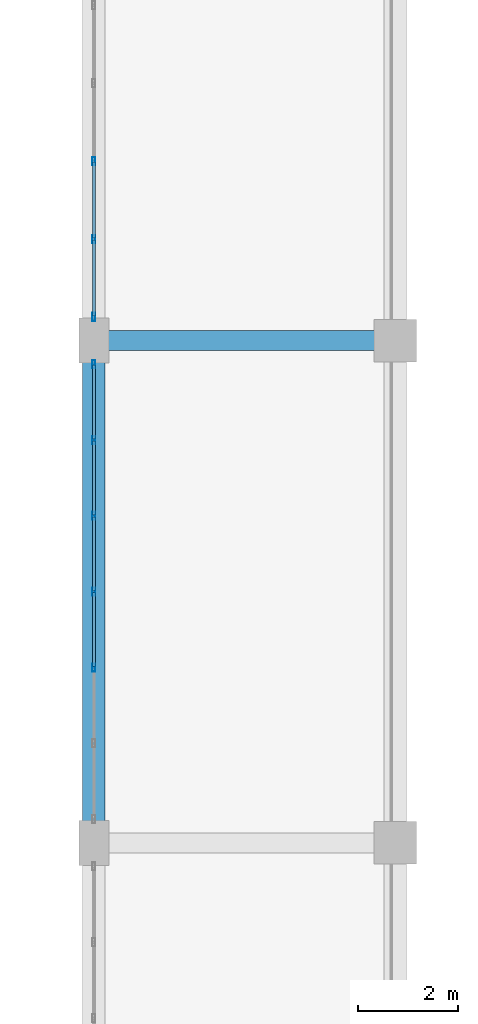
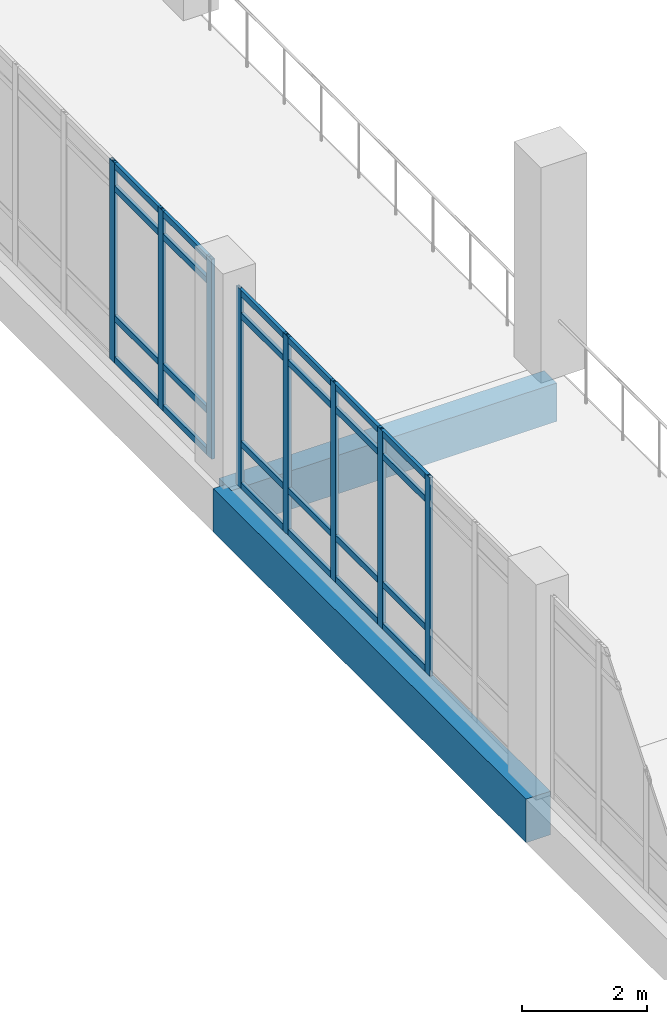
# One storey, part 82 of 161: 32 members, 2 beams, 2 elements without a shape of their own.
"""IFC4 building model written with IfcOpenShell, lengths in metres."""

from ifc_helpers import new_model, si_unit, direction, frame, origin, origin_2d, place, context, subcontext, project, spatial, rectangle, hollow_rectangle, extrude, material, layer, layer_set, material_profile, profile_set, type_object, element, aggregate, save


model = new_model("IFC4")

# Units and contexts
model_context = context("Model", 3, precision=1e-05, world=origin(), true_north=direction((0.0, 1.0)))
body_context = subcontext(model_context, "Body", "Model", "MODEL_VIEW")
ifc_project = project(units=[si_unit("LENGTHUNIT", "METRE"), si_unit("AREAUNIT", "SQUARE_METRE"), si_unit("VOLUMEUNIT", "CUBIC_METRE"), si_unit("PLANEANGLEUNIT", "RADIAN"), si_unit("MASSUNIT", "GRAM", prefix="KILO")], contexts=[model_context])

# Site, building, storey
site_placement = place(None, origin())
site = spatial("IfcSite", under=ifc_project, at=site_placement, CompositionType="ELEMENT")
building_placement = place(site_placement, origin())
building = spatial("IfcBuilding", under=site, at=building_placement, Name="Mersad Railyard Sports Hall", CompositionType="ELEMENT")
storey_placement = place(building_placement, frame((0.0, 0.0, 4.800048828125)))
storey = spatial("IfcBuildingStorey", under=building, at=storey_placement, Name="L01", CompositionType="ELEMENT", Elevation=4.800048828125)

# Curtain wall, members
ifc_material_1 = material(Name="Aluminium 6063-T6", Category="aluminium")
ifc_layer_1 = layer(ifc_material_1, 0.159912109375)
ifc_layer_set_1 = layer_set([ifc_layer_1], Name="Aluminium 6063-T6")
curtain_wall_type_1 = type_object("IfcCurtainWallType", Name="ARC-CW-CW14", PredefinedType="USERDEFINED", material=ifc_layer_set_1)
curtain_wall_1_placement = place(storey_placement, origin())
curtain_wall_1 = element("IfcCurtainWall", 1, at=curtain_wall_1_placement, inside=storey, type_object=curtain_wall_type_1, Name="Curtain wall CW14-0076", ObjectType="CURTAIN WALL", PredefinedType="USERDEFINED")
ifc_material_profile_1 = material_profile(ifc_material_1, hollow_rectangle(XDim=0.06005859375, YDim=0.159912109375, WallThickness=0.00390625, at=origin_2d()), Name="AL MULLION 60x160x4")
ifc_profile_set_1 = profile_set([ifc_material_profile_1], Name="Aluminium 6063-T6")
member_type_1 = type_object("IfcMemberType", Name="ARC-CW-MUL01", PredefinedType="MULLION", material=ifc_profile_set_1)
member_1_placement = place(storey_placement, frame((131.0, 66.989990234375, -0.02001953125), z_axis=(0.0, 0.0, 1.0), x_axis=(1.0, 0.0, 0.0)))
member_1 = element("IfcMember", 2, at=member_1_placement, type_object=member_type_1, Name="CW14 Mullion 3", PredefinedType="MULLION", context=body_context, shape_type="SweptSolid", body=[
    extrude(hollow_rectangle(XDim=0.06005859375, YDim=0.159912109375, WallThickness=0.00390625, at=origin_2d()), origin(), (0.0, 0.0, 1.0), 3.869873046875),
])
member_2_placement = place(storey_placement, frame((131.0, 68.5, -0.02001953125), z_axis=(0.0, 0.0, 1.0), x_axis=(1.0, 0.0, 0.0)))
member_2 = element("IfcMember", 3, at=member_2_placement, type_object=member_type_1, Name="CW14 Mullion 4", PredefinedType="MULLION", context=body_context, shape_type="SweptSolid", body=[
    extrude(hollow_rectangle(XDim=0.06005859375, YDim=0.159912109375, WallThickness=0.00390625, at=origin_2d()), origin(), (0.0, 0.0, 1.0), 3.869873046875),
])
member_3_placement = place(storey_placement, frame((131.0, 70.010009765625, -0.02001953125), z_axis=(0.0, 0.0, 1.0), x_axis=(1.0, 0.0, 0.0)))
member_3 = element("IfcMember", 4, at=member_3_placement, type_object=member_type_1, Name="CW14 Mullion 5", PredefinedType="MULLION", context=body_context, shape_type="SweptSolid", body=[
    extrude(hollow_rectangle(XDim=0.06005859375, YDim=0.159912109375, WallThickness=0.00390625, at=origin_2d()), origin(), (0.0, 0.0, 1.0), 3.869873046875),
])
member_4_placement = place(storey_placement, frame((131.0, 71.52001953125, -0.02001953125), z_axis=(0.0, 0.0, 1.0), x_axis=(1.0, 0.0, 0.0)))
member_4 = element("IfcMember", 5, at=member_4_placement, type_object=member_type_1, Name="CW14 Mullion 6", PredefinedType="MULLION", context=body_context, shape_type="SweptSolid", body=[
    extrude(hollow_rectangle(XDim=0.06005859375, YDim=0.159912109375, WallThickness=0.00390625, at=origin_2d()), origin(), (0.0, 0.0, 1.0), 3.869873046875),
])
member_5_placement = place(storey_placement, frame((131.0, 73.030029296875, -0.02001953125), z_axis=(0.0, 0.0, 1.0), x_axis=(1.0, 0.0, 0.0)))
member_5 = element("IfcMember", 6, at=member_5_placement, type_object=member_type_1, Name="CW14 Mullion 7", PredefinedType="MULLION", context=body_context, shape_type="SweptSolid", body=[
    extrude(hollow_rectangle(XDim=0.06005859375, YDim=0.159912109375, WallThickness=0.00390625, at=origin_2d()), origin(), (0.0, 0.0, 1.0), 3.869873046875),
])

ifc_layer_2 = layer(ifc_material_1, 0.159912109375)
ifc_layer_set_2 = layer_set([ifc_layer_2], Name="Aluminium 6063-T6")
curtain_wall_type_2 = type_object("IfcCurtainWallType", Name="ARC-CW-CW27", PredefinedType="USERDEFINED", material=ifc_layer_set_2)
curtain_wall_2_placement = place(storey_placement, origin())
curtain_wall_2 = element("IfcCurtainWall", 7, at=curtain_wall_2_placement, inside=storey, type_object=curtain_wall_type_2, Name="Curtain wall CW27-0078", ObjectType="CURTAIN WALL", PredefinedType="USERDEFINED")
member_6_placement = place(storey_placement, frame((131.0, 73.969970703125, -0.02001953125), z_axis=(0.0, 0.0, 1.0), x_axis=(1.0, 0.0, 0.0)))
member_6 = element("IfcMember", 8, at=member_6_placement, type_object=member_type_1, Name="CW27 Mullion 1", PredefinedType="MULLION", context=body_context, shape_type="SweptSolid", body=[
    extrude(hollow_rectangle(XDim=0.06005859375, YDim=0.159912109375, WallThickness=0.00390625, at=origin_2d()), origin(), (0.0, 0.0, 1.0), 3.89990234375),
])
member_7_placement = place(storey_placement, frame((131.0, 75.521484375, -0.02001953125), z_axis=(0.0, 0.0, 1.0), x_axis=(1.0, 0.0, 0.0)))
member_7 = element("IfcMember", 9, at=member_7_placement, type_object=member_type_1, Name="CW27 Mullion 2", PredefinedType="MULLION", context=body_context, shape_type="SweptSolid", body=[
    extrude(hollow_rectangle(XDim=0.06005859375, YDim=0.159912109375, WallThickness=0.00390625, at=origin_2d()), origin(), (0.0, 0.0, 1.0), 3.89990234375),
])
member_8_placement = place(storey_placement, frame((131.0, 77.07275390625, -0.02001953125), z_axis=(0.0, 0.0, 1.0), x_axis=(1.0, 0.0, 0.0)))
member_8 = element("IfcMember", 10, at=member_8_placement, type_object=member_type_1, Name="CW27 Mullion 3", PredefinedType="MULLION", context=body_context, shape_type="SweptSolid", body=[
    extrude(hollow_rectangle(XDim=0.06005859375, YDim=0.159912109375, WallThickness=0.00390625, at=origin_2d()), origin(), (0.0, 0.0, 1.0), 3.89990234375),
])

# Member
ifc_material_profile_2 = material_profile(ifc_material_1, hollow_rectangle(XDim=0.06005859375, YDim=0.1201171875, WallThickness=0.00390625, at=origin_2d()), Name="AL TRANSOM 60x120x4")
ifc_profile_set_2 = profile_set([ifc_material_profile_2], Name="Aluminium 6063-T6")
member_type_2 = type_object("IfcMemberType", Name="ARC-CW-TRN01", PredefinedType="USERDEFINED", material=ifc_profile_set_2)
member_9_placement = place(storey_placement, frame((131.0, 67.010009765625, 0.0400390625), z_axis=(0.0, 1.0, 0.0), x_axis=(-1.0, 0.0, 0.0)))
member_9 = element("IfcMember", 11, at=member_9_placement, type_object=member_type_2, Name="CW14 Transom 1-3", ObjectType="TRANSOM", PredefinedType="USERDEFINED", context=body_context, shape_type="SweptSolid", body=[
    extrude(hollow_rectangle(XDim=0.06005859375, YDim=0.1201171875, WallThickness=0.00390625, at=origin_2d()), origin(), (0.0, 0.0, 1.0), 1.469970703125),
])

member_10_placement = place(storey_placement, frame((131.0, 68.52001953125, 0.0400390625), z_axis=(0.0, 1.0, 0.0), x_axis=(-1.0, 0.0, 0.0)))
member_10 = element("IfcMember", 12, at=member_10_placement, type_object=member_type_2, Name="CW14 Transom 1-4", ObjectType="TRANSOM", PredefinedType="USERDEFINED", context=body_context, shape_type="SweptSolid", body=[
    extrude(hollow_rectangle(XDim=0.06005859375, YDim=0.1201171875, WallThickness=0.00390625, at=origin_2d()), origin(), (0.0, 0.0, 1.0), 1.469970703125),
])

member_11_placement = place(storey_placement, frame((131.0, 70.030029296875, 0.0400390625), z_axis=(0.0, 1.0, 0.0), x_axis=(-1.0, 0.0, 0.0)))
member_11 = element("IfcMember", 13, at=member_11_placement, type_object=member_type_2, Name="CW14 Transom 1-5", ObjectType="TRANSOM", PredefinedType="USERDEFINED", context=body_context, shape_type="SweptSolid", body=[
    extrude(hollow_rectangle(XDim=0.06005859375, YDim=0.1201171875, WallThickness=0.00390625, at=origin_2d()), origin(), (0.0, 0.0, 1.0), 1.469970703125),
])

member_12_placement = place(storey_placement, frame((131.0, 71.5400390625, 0.0400390625), z_axis=(0.0, 1.0, 0.0), x_axis=(-1.0, 0.0, 0.0)))
member_12 = element("IfcMember", 14, at=member_12_placement, type_object=member_type_2, Name="CW14 Transom 1-6", ObjectType="TRANSOM", PredefinedType="USERDEFINED", context=body_context, shape_type="SweptSolid", body=[
    extrude(hollow_rectangle(XDim=0.06005859375, YDim=0.1201171875, WallThickness=0.00390625, at=origin_2d()), origin(), (0.0, 0.0, 1.0), 1.469970703125),
])

member_13_placement = place(storey_placement, frame((131.0, 67.010009765625, 0.849853515625), z_axis=(0.0, 1.0, 0.0), x_axis=(-1.0, 0.0, 0.0)))
member_13 = element("IfcMember", 15, at=member_13_placement, type_object=member_type_2, Name="CW14 Transom 2-3", ObjectType="TRANSOM", PredefinedType="USERDEFINED", context=body_context, shape_type="SweptSolid", body=[
    extrude(hollow_rectangle(XDim=0.06005859375, YDim=0.1201171875, WallThickness=0.00390625, at=origin_2d()), origin(), (0.0, 0.0, 1.0), 1.469970703125),
])

member_14_placement = place(storey_placement, frame((131.0, 68.52001953125, 0.849853515625), z_axis=(0.0, 1.0, 0.0), x_axis=(-1.0, 0.0, 0.0)))
member_14 = element("IfcMember", 16, at=member_14_placement, type_object=member_type_2, Name="CW14 Transom 2-4", ObjectType="TRANSOM", PredefinedType="USERDEFINED", context=body_context, shape_type="SweptSolid", body=[
    extrude(hollow_rectangle(XDim=0.06005859375, YDim=0.1201171875, WallThickness=0.00390625, at=origin_2d()), origin(), (0.0, 0.0, 1.0), 1.469970703125),
])

member_15_placement = place(storey_placement, frame((131.0, 70.030029296875, 0.849853515625), z_axis=(0.0, 1.0, 0.0), x_axis=(-1.0, 0.0, 0.0)))
member_15 = element("IfcMember", 17, at=member_15_placement, type_object=member_type_2, Name="CW14 Transom 2-5", ObjectType="TRANSOM", PredefinedType="USERDEFINED", context=body_context, shape_type="SweptSolid", body=[
    extrude(hollow_rectangle(XDim=0.06005859375, YDim=0.1201171875, WallThickness=0.00390625, at=origin_2d()), origin(), (0.0, 0.0, 1.0), 1.469970703125),
])

member_16_placement = place(storey_placement, frame((131.0, 71.5400390625, 0.849853515625), z_axis=(0.0, 1.0, 0.0), x_axis=(-1.0, 0.0, 0.0)))
member_16 = element("IfcMember", 18, at=member_16_placement, type_object=member_type_2, Name="CW14 Transom 2-6", ObjectType="TRANSOM", PredefinedType="USERDEFINED", context=body_context, shape_type="SweptSolid", body=[
    extrude(hollow_rectangle(XDim=0.06005859375, YDim=0.1201171875, WallThickness=0.00390625, at=origin_2d()), origin(), (0.0, 0.0, 1.0), 1.469970703125),
])

member_17_placement = place(storey_placement, frame((131.0, 67.010009765625, 3.349853515625), z_axis=(0.0, 1.0, 0.0), x_axis=(-1.0, 0.0, 0.0)))
member_17 = element("IfcMember", 19, at=member_17_placement, type_object=member_type_2, Name="CW14 Transom 3-3", ObjectType="TRANSOM", PredefinedType="USERDEFINED", context=body_context, shape_type="SweptSolid", body=[
    extrude(hollow_rectangle(XDim=0.06005859375, YDim=0.1201171875, WallThickness=0.00390625, at=origin_2d()), origin(), (0.0, 0.0, 1.0), 1.469970703125),
])

member_18_placement = place(storey_placement, frame((131.0, 68.52001953125, 3.349853515625), z_axis=(0.0, 1.0, 0.0), x_axis=(-1.0, 0.0, 0.0)))
member_18 = element("IfcMember", 20, at=member_18_placement, type_object=member_type_2, Name="CW14 Transom 3-4", ObjectType="TRANSOM", PredefinedType="USERDEFINED", context=body_context, shape_type="SweptSolid", body=[
    extrude(hollow_rectangle(XDim=0.06005859375, YDim=0.1201171875, WallThickness=0.00390625, at=origin_2d()), origin(), (0.0, 0.0, 1.0), 1.469970703125),
])

member_19_placement = place(storey_placement, frame((131.0, 70.030029296875, 3.349853515625), z_axis=(0.0, 1.0, 0.0), x_axis=(-1.0, 0.0, 0.0)))
member_19 = element("IfcMember", 21, at=member_19_placement, type_object=member_type_2, Name="CW14 Transom 3-5", ObjectType="TRANSOM", PredefinedType="USERDEFINED", context=body_context, shape_type="SweptSolid", body=[
    extrude(hollow_rectangle(XDim=0.06005859375, YDim=0.1201171875, WallThickness=0.00390625, at=origin_2d()), origin(), (0.0, 0.0, 1.0), 1.469970703125),
])

member_20_placement = place(storey_placement, frame((131.0, 71.5400390625, 3.349853515625), z_axis=(0.0, 1.0, 0.0), x_axis=(-1.0, 0.0, 0.0)))
member_20 = element("IfcMember", 22, at=member_20_placement, type_object=member_type_2, Name="CW14 Transom 3-6", ObjectType="TRANSOM", PredefinedType="USERDEFINED", context=body_context, shape_type="SweptSolid", body=[
    extrude(hollow_rectangle(XDim=0.06005859375, YDim=0.1201171875, WallThickness=0.00390625, at=origin_2d()), origin(), (0.0, 0.0, 1.0), 1.469970703125),
])

member_21_placement = place(storey_placement, frame((131.0, 67.010009765625, 3.7900390625), z_axis=(0.0, 1.0, 0.0), x_axis=(-1.0, 0.0, 0.0)))
member_21 = element("IfcMember", 23, at=member_21_placement, type_object=member_type_2, Name="CW14 Transom 4-3", ObjectType="TRANSOM", PredefinedType="USERDEFINED", context=body_context, shape_type="SweptSolid", body=[
    extrude(hollow_rectangle(XDim=0.06005859375, YDim=0.1201171875, WallThickness=0.00390625, at=origin_2d()), origin(), (0.0, 0.0, 1.0), 1.469970703125),
])

member_22_placement = place(storey_placement, frame((131.0, 68.52001953125, 3.7900390625), z_axis=(0.0, 1.0, 0.0), x_axis=(-1.0, 0.0, 0.0)))
member_22 = element("IfcMember", 24, at=member_22_placement, type_object=member_type_2, Name="CW14 Transom 4-4", ObjectType="TRANSOM", PredefinedType="USERDEFINED", context=body_context, shape_type="SweptSolid", body=[
    extrude(hollow_rectangle(XDim=0.06005859375, YDim=0.1201171875, WallThickness=0.00390625, at=origin_2d()), origin(), (0.0, 0.0, 1.0), 1.469970703125),
])

member_23_placement = place(storey_placement, frame((131.0, 70.030029296875, 3.7900390625), z_axis=(0.0, 1.0, 0.0), x_axis=(-1.0, 0.0, 0.0)))
member_23 = element("IfcMember", 25, at=member_23_placement, type_object=member_type_2, Name="CW14 Transom 4-5", ObjectType="TRANSOM", PredefinedType="USERDEFINED", context=body_context, shape_type="SweptSolid", body=[
    extrude(hollow_rectangle(XDim=0.06005859375, YDim=0.1201171875, WallThickness=0.00390625, at=origin_2d()), origin(), (0.0, 0.0, 1.0), 1.469970703125),
])

member_24_placement = place(storey_placement, frame((131.0, 71.5400390625, 3.7900390625), z_axis=(0.0, 1.0, 0.0), x_axis=(-1.0, 0.0, 0.0)))
member_24 = element("IfcMember", 26, at=member_24_placement, type_object=member_type_2, Name="CW14 Transom 4-6", ObjectType="TRANSOM", PredefinedType="USERDEFINED", context=body_context, shape_type="SweptSolid", body=[
    extrude(hollow_rectangle(XDim=0.06005859375, YDim=0.1201171875, WallThickness=0.00390625, at=origin_2d()), origin(), (0.0, 0.0, 1.0), 1.469970703125),
])

aggregate(curtain_wall_1, [member_1, member_2, member_3, member_4, member_5, member_9, member_10, member_11, member_12, member_13, member_14, member_15, member_16, member_17, member_18, member_19, member_20, member_21, member_22, member_23, member_24])

member_25_placement = place(storey_placement, frame((131.0, 73.989990234375, 0.0400390625), z_axis=(0.0, 1.0, 0.0), x_axis=(-1.0, 0.0, 0.0)))
member_25 = element("IfcMember", 27, at=member_25_placement, type_object=member_type_2, Name="CW27 Transom 1-1", ObjectType="TRANSOM", PredefinedType="USERDEFINED", context=body_context, shape_type="SweptSolid", body=[
    extrude(hollow_rectangle(XDim=0.06005859375, YDim=0.1201171875, WallThickness=0.00390625, at=origin_2d()), origin(), (0.0, 0.0, 1.0), 1.511474609375),
])

member_26_placement = place(storey_placement, frame((131.0, 75.54150390625, 0.0400390625), z_axis=(0.0, 1.0, 0.0), x_axis=(-1.0, 0.0, 0.0)))
member_26 = element("IfcMember", 28, at=member_26_placement, type_object=member_type_2, Name="CW27 Transom 1-2", ObjectType="TRANSOM", PredefinedType="USERDEFINED", context=body_context, shape_type="SweptSolid", body=[
    extrude(hollow_rectangle(XDim=0.06005859375, YDim=0.1201171875, WallThickness=0.00390625, at=origin_2d()), origin(), (0.0, 0.0, 1.0), 1.511474609375),
])

member_27_placement = place(storey_placement, frame((131.0, 73.989990234375, 0.849853515625), z_axis=(0.0, 1.0, 0.0), x_axis=(-1.0, 0.0, 0.0)))
member_27 = element("IfcMember", 29, at=member_27_placement, type_object=member_type_2, Name="CW27 Transom 2-1", ObjectType="TRANSOM", PredefinedType="USERDEFINED", context=body_context, shape_type="SweptSolid", body=[
    extrude(hollow_rectangle(XDim=0.06005859375, YDim=0.1201171875, WallThickness=0.00390625, at=origin_2d()), origin(), (0.0, 0.0, 1.0), 1.511474609375),
])

member_28_placement = place(storey_placement, frame((131.0, 75.54150390625, 0.849853515625), z_axis=(0.0, 1.0, 0.0), x_axis=(-1.0, 0.0, 0.0)))
member_28 = element("IfcMember", 30, at=member_28_placement, type_object=member_type_2, Name="CW27 Transom 2-2", ObjectType="TRANSOM", PredefinedType="USERDEFINED", context=body_context, shape_type="SweptSolid", body=[
    extrude(hollow_rectangle(XDim=0.06005859375, YDim=0.1201171875, WallThickness=0.00390625, at=origin_2d()), origin(), (0.0, 0.0, 1.0), 1.511474609375),
])

member_29_placement = place(storey_placement, frame((131.0, 73.989990234375, 3.3798828125), z_axis=(0.0, 1.0, 0.0), x_axis=(-1.0, 0.0, 0.0)))
member_29 = element("IfcMember", 31, at=member_29_placement, type_object=member_type_2, Name="CW27 Transom 3-1", ObjectType="TRANSOM", PredefinedType="USERDEFINED", context=body_context, shape_type="SweptSolid", body=[
    extrude(hollow_rectangle(XDim=0.06005859375, YDim=0.1201171875, WallThickness=0.00390625, at=origin_2d()), origin(), (0.0, 0.0, 1.0), 1.511474609375),
])

member_30_placement = place(storey_placement, frame((131.0, 75.54150390625, 3.3798828125), z_axis=(0.0, 1.0, 0.0), x_axis=(-1.0, 0.0, 0.0)))
member_30 = element("IfcMember", 32, at=member_30_placement, type_object=member_type_2, Name="CW27 Transom 3-2", ObjectType="TRANSOM", PredefinedType="USERDEFINED", context=body_context, shape_type="SweptSolid", body=[
    extrude(hollow_rectangle(XDim=0.06005859375, YDim=0.1201171875, WallThickness=0.00390625, at=origin_2d()), origin(), (0.0, 0.0, 1.0), 1.511474609375),
])

member_31_placement = place(storey_placement, frame((131.0, 73.989990234375, 3.820068359375), z_axis=(0.0, 1.0, 0.0), x_axis=(-1.0, 0.0, 0.0)))
member_31 = element("IfcMember", 33, at=member_31_placement, type_object=member_type_2, Name="CW27 Transom 4-1", ObjectType="TRANSOM", PredefinedType="USERDEFINED", context=body_context, shape_type="SweptSolid", body=[
    extrude(hollow_rectangle(XDim=0.06005859375, YDim=0.1201171875, WallThickness=0.00390625, at=origin_2d()), origin(), (0.0, 0.0, 1.0), 1.511474609375),
])

member_32_placement = place(storey_placement, frame((131.0, 75.54150390625, 3.820068359375), z_axis=(0.0, 1.0, 0.0), x_axis=(-1.0, 0.0, 0.0)))
member_32 = element("IfcMember", 34, at=member_32_placement, type_object=member_type_2, Name="CW27 Transom 4-2", ObjectType="TRANSOM", PredefinedType="USERDEFINED", context=body_context, shape_type="SweptSolid", body=[
    extrude(hollow_rectangle(XDim=0.06005859375, YDim=0.1201171875, WallThickness=0.00390625, at=origin_2d()), origin(), (0.0, 0.0, 1.0), 1.511474609375),
])

aggregate(curtain_wall_2, [member_6, member_7, member_8, member_25, member_26, member_27, member_28, member_29, member_30, member_31, member_32])

# Beams
ifc_material_2 = material(Name="Concrete C40/50", Category="concrete")
ifc_material_profile_3 = material_profile(ifc_material_2, rectangle(XDim=0.39990234375, YDim=0.75, at=origin_2d()), Name="RC 400x750")
ifc_profile_set_3 = profile_set([ifc_material_profile_3], Name="Concrete C40/50")
beam_type_1 = type_object("IfcBeamType", Name="STR-BM-B01", PredefinedType="BEAM", material=ifc_profile_set_3)
beam_1_placement = place(storey_placement, frame((131.0, 73.5, -0.655029296875), z_axis=(1.0, 0.0, 0.0), x_axis=(0.0, 1.0, 0.0)))
element("IfcBeam", 35, at=beam_1_placement, inside=storey, type_object=beam_type_1, Name="Beam B01-0631", PredefinedType="BEAM", context=body_context, shape_type="SweptSolid", body=[
    extrude(rectangle(XDim=0.39990234375, YDim=0.75, at=origin_2d()), origin(), (0.0, 0.0, 1.0), 6.0),
])
ifc_material_profile_4 = material_profile(ifc_material_2, rectangle(XDim=0.449951171875, YDim=0.85009765625, at=origin_2d()), Name="RC 450x850")
ifc_profile_set_4 = profile_set([ifc_material_profile_4], Name="Concrete C40/50")
beam_type_2 = type_object("IfcBeamType", Name="STR-BM-B02", PredefinedType="BEAM", material=ifc_profile_set_4)
beam_2_placement = place(storey_placement, frame((131.0, 63.5, -0.705078125), z_axis=(0.0, 1.0, 0.0), x_axis=(-1.0, 0.0, 0.0)))
element("IfcBeam", 36, at=beam_2_placement, inside=storey, type_object=beam_type_2, Name="Beam B02-0634", PredefinedType="BEAM", context=body_context, shape_type="SweptSolid", body=[
    extrude(rectangle(XDim=0.449951171875, YDim=0.85009765625, at=origin_2d()), origin(), (0.0, 0.0, 1.0), 10.0),
])

save(model, "model.ifc")
